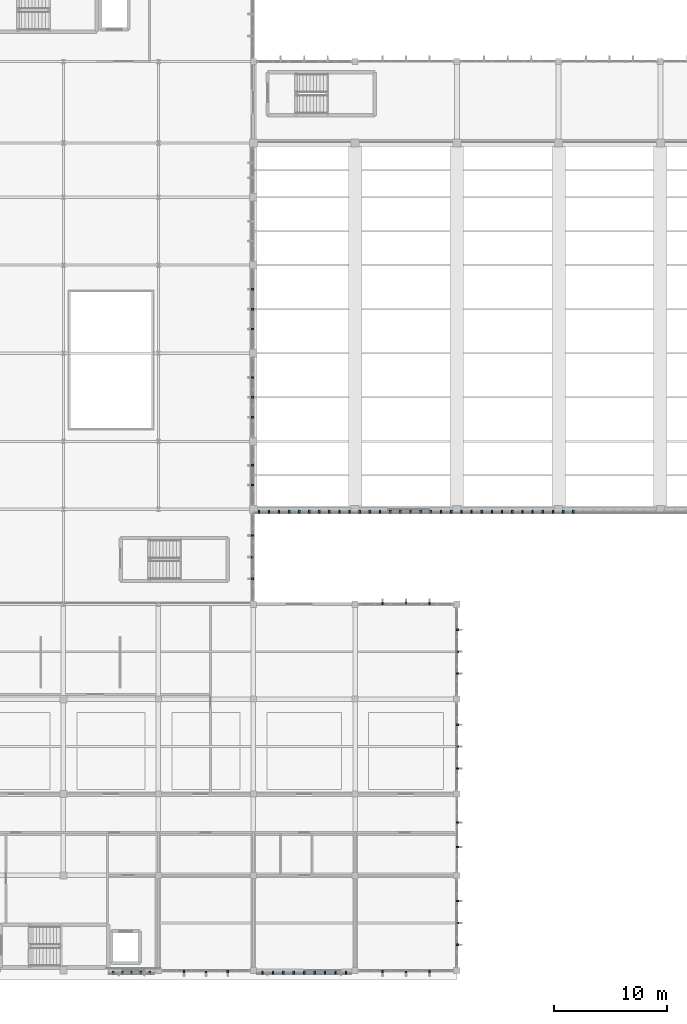
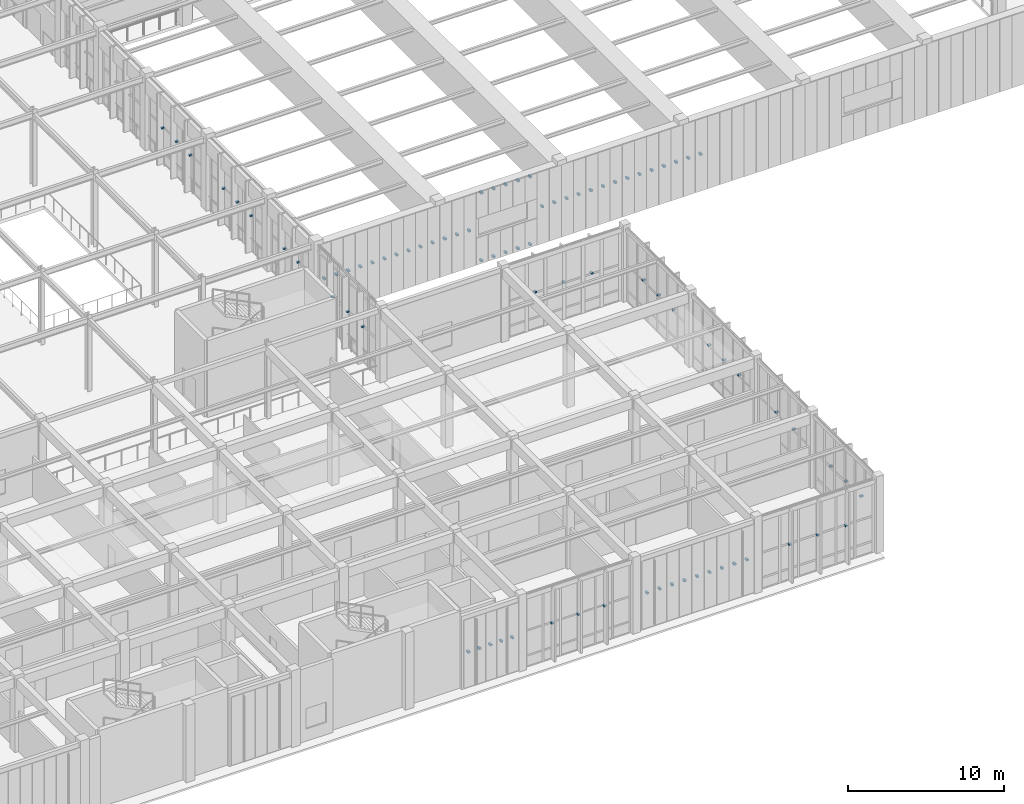
# One storey, part 82 of 105: 82 discrete accessories.
"""IFC4 building model written with IfcOpenShell, lengths in metres."""

from ifc_helpers import new_model, si_unit, direction, frame, origin, origin_2d, place, context, subcontext, project, spatial, rectangle, extrude, material, type_object, element, save


model = new_model("IFC4")

# Units and contexts
model_context = context("Model", 3, precision=1e-05, world=origin(), true_north=direction((0.0, 1.0)))
body_context = subcontext(model_context, "Body", "Model", "MODEL_VIEW")
ifc_project = project(units=[si_unit("LENGTHUNIT", "METRE"), si_unit("AREAUNIT", "SQUARE_METRE"), si_unit("VOLUMEUNIT", "CUBIC_METRE"), si_unit("PLANEANGLEUNIT", "RADIAN"), si_unit("MASSUNIT", "GRAM", prefix="KILO")], contexts=[model_context])

# Site, building, storey
site_placement = place(None, origin())
site = spatial("IfcSite", under=ifc_project, at=site_placement, CompositionType="ELEMENT")
building_placement = place(site_placement, origin())
building = spatial("IfcBuilding", under=site, at=building_placement, Name="Tizgana Railside Sports Hall", CompositionType="ELEMENT")
storey_placement = place(building_placement, frame((0.0, 0.0, 6.0)))
storey = spatial("IfcBuildingStorey", under=building, at=storey_placement, Name="L01", CompositionType="ELEMENT", Elevation=6.0)

# Discrete accessories
ifc_material = material(Name="Steel S355J2", Category="steel")
discrete_accessory_type = type_object("IfcDiscreteAccessoryType", Name="Stainless Facade Support Bracket", PredefinedType="BRACKET", material=ifc_material)
for number, where, z_axis, x_axis, name in (
    (1, (88.304931640625, 40.580078125, 2.72509765625), (0.0, 0.0, 1.0), (-1.0, 0.0, 0.0), "L01 Screen Bracket"),
    (2, (87.4150390625, 40.580078125, 2.72509765625), (0.0, 0.0, 1.0), (-1.0, 0.0, 0.0), "L01 Screen Bracket"),
    (3, (86.52490234375, 40.580078125, 2.72509765625), (0.0, 0.0, 1.0), (-1.0, 0.0, 0.0), "L01 Screen Bracket"),
    (4, (85.635009765625, 40.580078125, 2.72509765625), (0.0, 0.0, 1.0), (-1.0, 0.0, 0.0), "L01 Screen Bracket"),
    (5, (84.7451171875, 40.580078125, 2.72509765625), (0.0, 0.0, 1.0), (-1.0, 0.0, 0.0), "L01 Screen Bracket"),
    (6, (83.85498046875, 40.580078125, 2.72509765625), (0.0, 0.0, 1.0), (-1.0, 0.0, 0.0), "L01 Screen Bracket"),
    (7, (82.965087890625, 40.580078125, 2.72509765625), (0.0, 0.0, 1.0), (-1.0, 0.0, 0.0), "L01 Screen Bracket"),
    (8, (82.074951171875, 40.580078125, 2.72509765625), (0.0, 0.0, 1.0), (-1.0, 0.0, 0.0), "L01 Screen Bracket"),
    (9, (81.18505859375, 40.580078125, 2.72509765625), (0.0, 0.0, 1.0), (-1.0, 0.0, 0.0), "L01 Screen Bracket"),
    (10, (80.294921875, 40.580078125, 2.72509765625), (0.0, 0.0, 1.0), (-1.0, 0.0, 0.0), "L01 Screen Bracket"),
    (11, (97.30029296875, 40.580078125, 2.72509765625), (0.0, 0.0, 1.0), (-1.0, 0.0, 0.0), "L01 Screen Bracket"),
    (12, (96.40087890625, 40.580078125, 2.72509765625), (0.0, 0.0, 1.0), (-1.0, 0.0, 0.0), "L01 Screen Bracket"),
):
    element("IfcDiscreteAccessory", number, at=place(storey_placement, frame(where, z_axis=z_axis, x_axis=x_axis)), inside=storey, type_object=discrete_accessory_type, Name=name, PredefinedType="BRACKET", context=body_context, shape_type="SweptSolid", body=[
        extrude(rectangle(XDim=0.159912109375, YDim=0.25, at=origin_2d()), origin(), (0.0, 0.0, 1.0), 0.139892578125),
    ])
for number, where, z_axis, x_axis, name in (
    (13, (95.501220703125, 40.580078125, 0.080078125), (0.0, 0.0, 1.0), (-1.0, 0.0, 0.0), "L01 Spandrel Bracket"),
    (14, (95.501220703125, 40.580078125, 5.3701171875), (0.0, 0.0, 1.0), (-1.0, 0.0, 0.0), "L01 Header Bracket"),
    (15, (94.601806640625, 40.580078125, 0.080078125), (0.0, 0.0, 1.0), (-1.0, 0.0, 0.0), "L01 Spandrel Bracket"),
    (16, (94.601806640625, 40.580078125, 5.3701171875), (0.0, 0.0, 1.0), (-1.0, 0.0, 0.0), "L01 Header Bracket"),
    (17, (93.7021484375, 40.580078125, 0.080078125), (0.0, 0.0, 1.0), (-1.0, 0.0, 0.0), "L01 Spandrel Bracket"),
    (18, (93.7021484375, 40.580078125, 5.3701171875), (0.0, 0.0, 1.0), (-1.0, 0.0, 0.0), "L01 Header Bracket"),
    (19, (92.802734375, 40.580078125, 0.080078125), (0.0, 0.0, 1.0), (-1.0, 0.0, 0.0), "L01 Spandrel Bracket"),
    (20, (92.802734375, 40.580078125, 5.3701171875), (0.0, 0.0, 1.0), (-1.0, 0.0, 0.0), "L01 Header Bracket"),
    (21, (91.9033203125, 40.580078125, 0.080078125), (0.0, 0.0, 1.0), (-1.0, 0.0, 0.0), "L01 Spandrel Bracket"),
    (22, (91.9033203125, 40.580078125, 5.3701171875), (0.0, 0.0, 1.0), (-1.0, 0.0, 0.0), "L01 Header Bracket"),
):
    element("IfcDiscreteAccessory", number, at=place(storey_placement, frame(where, z_axis=z_axis, x_axis=x_axis)), inside=storey, type_object=discrete_accessory_type, Name=name, PredefinedType="BRACKET", context=body_context, shape_type="SweptSolid", body=[
        extrude(rectangle(XDim=0.159912109375, YDim=0.260009765625, at=origin_2d()), origin(), (0.0, 0.0, 1.0), 0.139892578125),
    ])
for number, where, z_axis, x_axis, name in (
    (23, (91.003662109375, 40.580078125, 2.72509765625), (0.0, 0.0, 1.0), (-1.0, 0.0, 0.0), "L01 Screen Bracket"),
    (24, (90.104248046875, 40.580078125, 2.72509765625), (0.0, 0.0, 1.0), (-1.0, 0.0, 0.0), "L01 Screen Bracket"),
    (25, (89.20458984375, 40.580078125, 2.72509765625), (0.0, 0.0, 1.0), (-1.0, 0.0, 0.0), "L01 Screen Bracket"),
    (26, (106.30029296875, 40.580078125, 2.72509765625), (0.0, 0.0, 1.0), (-1.0, 0.0, 0.0), "L01 Screen Bracket"),
    (27, (105.40087890625, 40.580078125, 2.72509765625), (0.0, 0.0, 1.0), (-1.0, 0.0, 0.0), "L01 Screen Bracket"),
    (28, (104.501220703125, 40.580078125, 2.72509765625), (0.0, 0.0, 1.0), (-1.0, 0.0, 0.0), "L01 Screen Bracket"),
    (29, (103.601806640625, 40.580078125, 2.72509765625), (0.0, 0.0, 1.0), (-1.0, 0.0, 0.0), "L01 Screen Bracket"),
    (30, (102.7021484375, 40.580078125, 2.72509765625), (0.0, 0.0, 1.0), (-1.0, 0.0, 0.0), "L01 Screen Bracket"),
    (31, (101.802734375, 40.580078125, 2.72509765625), (0.0, 0.0, 1.0), (-1.0, 0.0, 0.0), "L01 Screen Bracket"),
    (32, (100.9033203125, 40.580078125, 2.72509765625), (0.0, 0.0, 1.0), (-1.0, 0.0, 0.0), "L01 Screen Bracket"),
    (33, (100.003662109375, 40.580078125, 2.72509765625), (0.0, 0.0, 1.0), (-1.0, 0.0, 0.0), "L01 Screen Bracket"),
    (34, (99.104248046875, 40.580078125, 2.72509765625), (0.0, 0.0, 1.0), (-1.0, 0.0, 0.0), "L01 Screen Bracket"),
    (35, (98.20458984375, 40.580078125, 2.72509765625), (0.0, 0.0, 1.0), (-1.0, 0.0, 0.0), "L01 Screen Bracket"),
    (36, (108.104248046875, 40.580078125, 2.72509765625), (0.0, 0.0, 1.0), (-1.0, 0.0, 0.0), "L01 Screen Bracket"),
    (37, (107.20458984375, 40.580078125, 2.72509765625), (0.0, 0.0, 1.0), (-1.0, 0.0, 0.0), "L01 Screen Bracket"),
):
    element("IfcDiscreteAccessory", number, at=place(storey_placement, frame(where, z_axis=z_axis, x_axis=x_axis)), inside=storey, type_object=discrete_accessory_type, Name=name, PredefinedType="BRACKET", context=body_context, shape_type="SweptSolid", body=[
        extrude(rectangle(XDim=0.159912109375, YDim=0.25, at=origin_2d()), origin(), (0.0, 0.0, 1.0), 0.139892578125),
    ])
for number, where, z_axis, x_axis, name in (
    (38, (79.719970703125, 34.646240234375, 2.784912109375), (0.0, 0.0, 1.0), (0.0, 1.0, 0.0), "L01 Fin Bracket"),
    (39, (79.719970703125, 36.5625, 2.784912109375), (0.0, 0.0, 1.0), (0.0, 1.0, 0.0), "L01 Fin Bracket"),
    (40, (79.719970703125, 38.478759765625, 2.784912109375), (0.0, 0.0, 1.0), (0.0, 1.0, 0.0), "L01 Fin Bracket"),
):
    element("IfcDiscreteAccessory", number, at=place(storey_placement, frame(where, z_axis=z_axis, x_axis=x_axis)), inside=storey, type_object=discrete_accessory_type, Name=name, PredefinedType="BRACKET", context=body_context, shape_type="SweptSolid", body=[
        extrude(rectangle(XDim=0.159912109375, YDim=0.219970703125, at=origin_2d()), origin(), (0.0, 0.0, 1.0), 0.1201171875),
    ])
for number, where, z_axis, x_axis, name in (
    (41, (70.64501953125, -0.199951171875, 2.7900390625), (0.0, 0.0, 1.0), (-1.0, 0.0, 0.0), "L01 Screen Bracket"),
    (42, (69.8349609375, -0.199951171875, 2.7900390625), (0.0, 0.0, 1.0), (-1.0, 0.0, 0.0), "L01 Screen Bracket"),
    (43, (69.02490234375, -0.199951171875, 2.7900390625), (0.0, 0.0, 1.0), (-1.0, 0.0, 0.0), "L01 Screen Bracket"),
    (44, (68.215087890625, -0.199951171875, 2.7900390625), (0.0, 0.0, 1.0), (-1.0, 0.0, 0.0), "L01 Screen Bracket"),
    (45, (67.405029296875, -0.199951171875, 2.7900390625), (0.0, 0.0, 1.0), (-1.0, 0.0, 0.0), "L01 Screen Bracket"),
):
    element("IfcDiscreteAccessory", number, at=place(storey_placement, frame(where, z_axis=z_axis, x_axis=x_axis)), inside=storey, type_object=discrete_accessory_type, Name=name, PredefinedType="BRACKET", context=body_context, shape_type="SweptSolid", body=[
        extrude(rectangle(XDim=0.159912109375, YDim=0.25, at=origin_2d()), origin(), (0.0, 0.0, 1.0), 0.139892578125),
    ])
for number, where, z_axis, x_axis, name in (
    (46, (77.534912109375, -0.080078125, 2.800048828125), (0.0, 0.0, 1.0), (-1.0, 0.0, 0.0), "L01 Fin Bracket"),
    (47, (75.60009765625, -0.080078125, 2.800048828125), (0.0, 0.0, 1.0), (-1.0, 0.0, 0.0), "L01 Fin Bracket"),
    (48, (73.6650390625, -0.080078125, 2.800048828125), (0.0, 0.0, 1.0), (-1.0, 0.0, 0.0), "L01 Fin Bracket"),
):
    element("IfcDiscreteAccessory", number, at=place(storey_placement, frame(where, z_axis=z_axis, x_axis=x_axis)), inside=storey, type_object=discrete_accessory_type, Name=name, PredefinedType="BRACKET", context=body_context, shape_type="SweptSolid", body=[
        extrude(rectangle(XDim=0.159912109375, YDim=0.219970703125, at=origin_2d()), origin(), (0.0, 0.0, 1.0), 0.1201171875),
    ])
for number, where, z_axis, x_axis, name in (
    (49, (87.989013671875, -0.199951171875, 2.7900390625), (0.0, 0.0, 1.0), (-1.0, 0.0, 0.0), "L01 Screen Bracket"),
    (50, (87.066650390625, -0.199951171875, 2.7900390625), (0.0, 0.0, 1.0), (-1.0, 0.0, 0.0), "L01 Screen Bracket"),
    (51, (86.144287109375, -0.199951171875, 2.7900390625), (0.0, 0.0, 1.0), (-1.0, 0.0, 0.0), "L01 Screen Bracket"),
    (52, (85.22216796875, -0.199951171875, 2.7900390625), (0.0, 0.0, 1.0), (-1.0, 0.0, 0.0), "L01 Screen Bracket"),
    (53, (84.300048828125, -0.199951171875, 2.7900390625), (0.0, 0.0, 1.0), (-1.0, 0.0, 0.0), "L01 Screen Bracket"),
    (54, (83.377685546875, -0.199951171875, 2.7900390625), (0.0, 0.0, 1.0), (-1.0, 0.0, 0.0), "L01 Screen Bracket"),
    (55, (82.45556640625, -0.199951171875, 2.7900390625), (0.0, 0.0, 1.0), (-1.0, 0.0, 0.0), "L01 Screen Bracket"),
    (56, (81.533203125, -0.199951171875, 2.7900390625), (0.0, 0.0, 1.0), (-1.0, 0.0, 0.0), "L01 Screen Bracket"),
    (57, (80.611083984375, -0.199951171875, 2.7900390625), (0.0, 0.0, 1.0), (-1.0, 0.0, 0.0), "L01 Screen Bracket"),
):
    element("IfcDiscreteAccessory", number, at=place(storey_placement, frame(where, z_axis=z_axis, x_axis=x_axis)), inside=storey, type_object=discrete_accessory_type, Name=name, PredefinedType="BRACKET", context=body_context, shape_type="SweptSolid", body=[
        extrude(rectangle(XDim=0.159912109375, YDim=0.25, at=origin_2d()), origin(), (0.0, 0.0, 1.0), 0.139892578125),
    ])
for number, where, z_axis, x_axis, name in (
    (58, (95.385009765625, -0.080078125, 2.800048828125), (0.0, 0.0, 1.0), (-1.0, 0.0, 0.0), "L01 Fin Bracket"),
    (59, (93.300048828125, -0.080078125, 2.800048828125), (0.0, 0.0, 1.0), (-1.0, 0.0, 0.0), "L01 Fin Bracket"),
    (60, (91.215087890625, -0.080078125, 2.800048828125), (0.0, 0.0, 1.0), (-1.0, 0.0, 0.0), "L01 Fin Bracket"),
    (61, (91.215087890625, 32.47998046875, 2.800048828125), (0.0, 0.0, 1.0), (1.0, 0.0, 0.0), "L01 Fin Bracket"),
    (62, (93.300048828125, 32.47998046875, 2.800048828125), (0.0, 0.0, 1.0), (1.0, 0.0, 0.0), "L01 Fin Bracket"),
    (63, (95.385009765625, 32.47998046875, 2.800048828125), (0.0, 0.0, 1.0), (1.0, 0.0, 0.0), "L01 Fin Bracket"),
    (64, (97.8798828125, 6.135009765625, 2.800048828125), (0.0, 0.0, 1.0), (0.0, -1.0, 0.0), "L01 Fin Bracket"),
    (65, (97.8798828125, 4.199951171875, 2.800048828125), (0.0, 0.0, 1.0), (0.0, -1.0, 0.0), "L01 Fin Bracket"),
    (66, (97.8798828125, 2.264892578125, 2.800048828125), (0.0, 0.0, 1.0), (0.0, -1.0, 0.0), "L01 Fin Bracket"),
    (67, (97.8798828125, 13.090087890625, 2.800048828125), (0.0, 0.0, 1.0), (0.0, -1.0, 0.0), "L01 Fin Bracket"),
    (68, (97.8798828125, 10.909912109375, 2.800048828125), (0.0, 0.0, 1.0), (0.0, -1.0, 0.0), "L01 Fin Bracket"),
    (69, (97.8798828125, 21.735107421875, 2.800048828125), (0.0, 0.0, 1.0), (0.0, -1.0, 0.0), "L01 Fin Bracket"),
    (70, (97.8798828125, 19.800048828125, 2.800048828125), (0.0, 0.0, 1.0), (0.0, -1.0, 0.0), "L01 Fin Bracket"),
    (71, (97.8798828125, 17.864990234375, 2.800048828125), (0.0, 0.0, 1.0), (0.0, -1.0, 0.0), "L01 Fin Bracket"),
    (72, (97.8798828125, 30.135009765625, 2.800048828125), (0.0, 0.0, 1.0), (0.0, -1.0, 0.0), "L01 Fin Bracket"),
    (73, (97.8798828125, 28.199951171875, 2.800048828125), (0.0, 0.0, 1.0), (0.0, -1.0, 0.0), "L01 Fin Bracket"),
    (74, (97.8798828125, 26.264892578125, 2.800048828125), (0.0, 0.0, 1.0), (0.0, -1.0, 0.0), "L01 Fin Bracket"),
    (75, (79.719970703125, 42.943359375, 2.784912109375), (0.0, 0.0, 1.0), (0.0, 1.0, 0.0), "L01 Fin Bracket"),
    (76, (79.719970703125, 44.681640625, 2.784912109375), (0.0, 0.0, 1.0), (0.0, 1.0, 0.0), "L01 Fin Bracket"),
    (77, (79.719970703125, 48.93994140625, 2.784912109375), (0.0, 0.0, 1.0), (0.0, 1.0, 0.0), "L01 Fin Bracket"),
    (78, (79.719970703125, 50.699951171875, 2.784912109375), (0.0, 0.0, 1.0), (0.0, 1.0, 0.0), "L01 Fin Bracket"),
    (79, (79.719970703125, 52.4599609375, 2.784912109375), (0.0, 0.0, 1.0), (0.0, 1.0, 0.0), "L01 Fin Bracket"),
    (80, (79.719970703125, 56.739990234375, 2.784912109375), (0.0, 0.0, 1.0), (0.0, 1.0, 0.0), "L01 Fin Bracket"),
    (81, (79.719970703125, 58.5, 2.784912109375), (0.0, 0.0, 1.0), (0.0, 1.0, 0.0), "L01 Fin Bracket"),
    (82, (79.719970703125, 60.260009765625, 2.784912109375), (0.0, 0.0, 1.0), (0.0, 1.0, 0.0), "L01 Fin Bracket"),
):
    element("IfcDiscreteAccessory", number, at=place(storey_placement, frame(where, z_axis=z_axis, x_axis=x_axis)), inside=storey, type_object=discrete_accessory_type, Name=name, PredefinedType="BRACKET", context=body_context, shape_type="SweptSolid", body=[
        extrude(rectangle(XDim=0.159912109375, YDim=0.219970703125, at=origin_2d()), origin(), (0.0, 0.0, 1.0), 0.1201171875),
    ])

save(model, "model.ifc")
